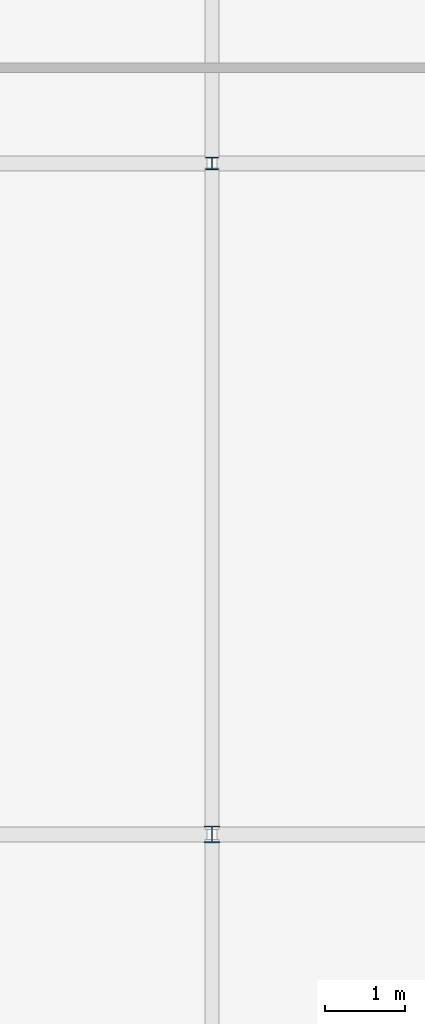
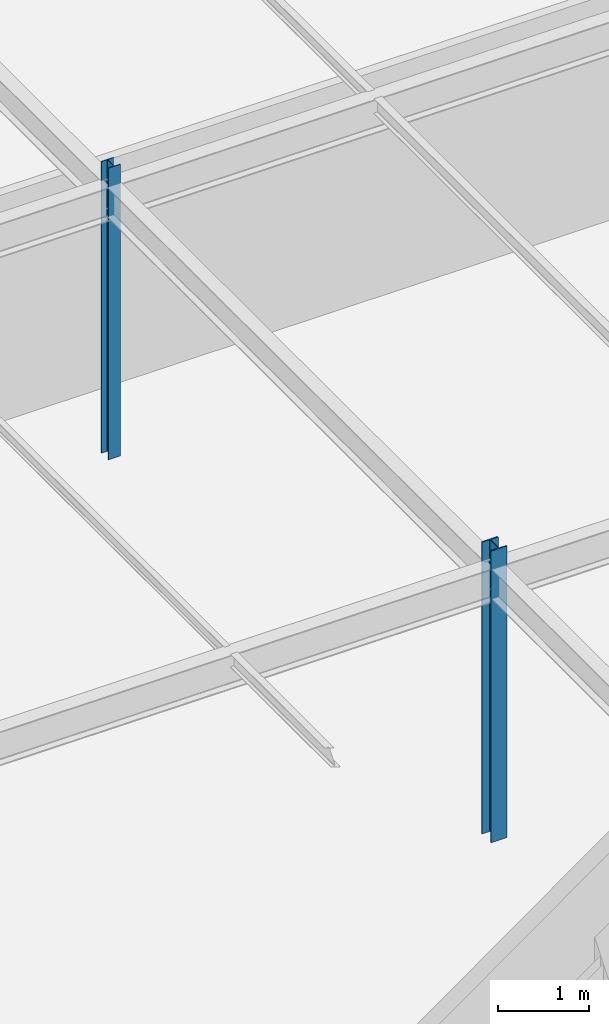
# One storey, part 20 of 98: 2 columns.
"""IFC4 building model written with IfcOpenShell, lengths in metres."""

from ifc_helpers import new_model, si_unit, derived_unit, direction, frame, origin, origin_2d_with_axis, place, context, subcontext, project, spatial, i_section, extrude, material, material_profile, profile_set, type_object, element, save


model = new_model("IFC4")

# Units and contexts
model_context = context("Model", 3, precision=1e-05, world=origin(), true_north=direction((0.0, 1.0)))
body_context = subcontext(model_context, "Body", "Model", "MODEL_VIEW")
ifc_project = project(units=[si_unit("LENGTHUNIT", "METRE"), si_unit("AREAUNIT", "SQUARE_METRE"), si_unit("VOLUMEUNIT", "CUBIC_METRE"), si_unit("PLANEANGLEUNIT", "RADIAN"), si_unit("MASSUNIT", "GRAM", prefix="KILO"), derived_unit("THERMALTRANSMITTANCEUNIT", [(si_unit("POWERUNIT", "WATT"), 1), (si_unit("LENGTHUNIT", "METRE"), -2), (si_unit("THERMODYNAMICTEMPERATUREUNIT", "KELVIN"), -1)])], contexts=[model_context])

# Site, building, storey
site_placement = place(None, origin())
site = spatial("IfcSite", under=ifc_project, at=site_placement, CompositionType="ELEMENT")
building_placement = place(site_placement, origin())
building = spatial("IfcBuilding", under=site, at=building_placement, Name="Cinnabar Yard Market Hall", CompositionType="ELEMENT")
storey_placement = place(building_placement, frame((0.0, 0.0, 4.5)))
storey = spatial("IfcBuildingStorey", under=building, at=storey_placement, Name="L01", CompositionType="ELEMENT", Elevation=4.5)

# Columns
ifc_material = material(Name="Steel Grade 300 (300 MPa)", Category="steel")
ifc_material_profile_1 = material_profile(ifc_material, i_section(OverallWidth=0.205078125, OverallDepth=0.209716796875, WebThickness=0.00927734375, FlangeThickness=0.01416015625, FilletRadius=0.011474609375, at=origin_2d_with_axis()), Name="200UC59.5")
ifc_profile_set_1 = profile_set([ifc_material_profile_1], Name="Steel Grade 300 (300 MPa)")
column_type_1 = type_object("IfcColumnType", Name="COL-C17", PredefinedType="COLUMN", material=ifc_profile_set_1)
column_1_placement = place(storey_placement, frame((96.0, 112.800048828125, 0.0), z_axis=(0.0, 0.0, 1.0), x_axis=(1.0, 0.0, 0.0)))
element("IfcColumn", 1, at=column_1_placement, inside=storey, type_object=column_type_1, Name="Wing Column V3-04-02 L01", PredefinedType="COLUMN", context=body_context, shape_type="SweptSolid", body=[
    extrude(i_section(OverallWidth=0.205078125, OverallDepth=0.209716796875, WebThickness=0.00927734375, FlangeThickness=0.01416015625, FilletRadius=0.011474609375, at=origin_2d_with_axis()), origin(), (0.0, 0.0, 1.0), 3.89990234375),
])
ifc_material_profile_2 = material_profile(ifc_material, i_section(OverallWidth=0.15283203125, OverallDepth=0.15771484375, WebThickness=0.006591796875, FlangeThickness=0.009521484375, FilletRadius=0.0087890625, at=origin_2d_with_axis()), Name="150UC30.0")
ifc_profile_set_2 = profile_set([ifc_material_profile_2], Name="Steel Grade 300 (300 MPa)")
column_type_2 = type_object("IfcColumnType", Name="COL-C18", PredefinedType="COLUMN", material=ifc_profile_set_2)
column_2_placement = place(storey_placement, frame((96.0, 121.199951171875, 0.0), z_axis=(0.0, 0.0, 1.0), x_axis=(1.0, 0.0, 0.0)))
element("IfcColumn", 2, at=column_2_placement, inside=storey, type_object=column_type_2, Name="Wing Column V3-04-03 L01", PredefinedType="COLUMN", context=body_context, shape_type="SweptSolid", body=[
    extrude(i_section(OverallWidth=0.15283203125, OverallDepth=0.15771484375, WebThickness=0.006591796875, FlangeThickness=0.009521484375, FilletRadius=0.0087890625, at=origin_2d_with_axis()), origin(), (0.0, 0.0, 1.0), 3.89990234375),
])

save(model, "model.ifc")
